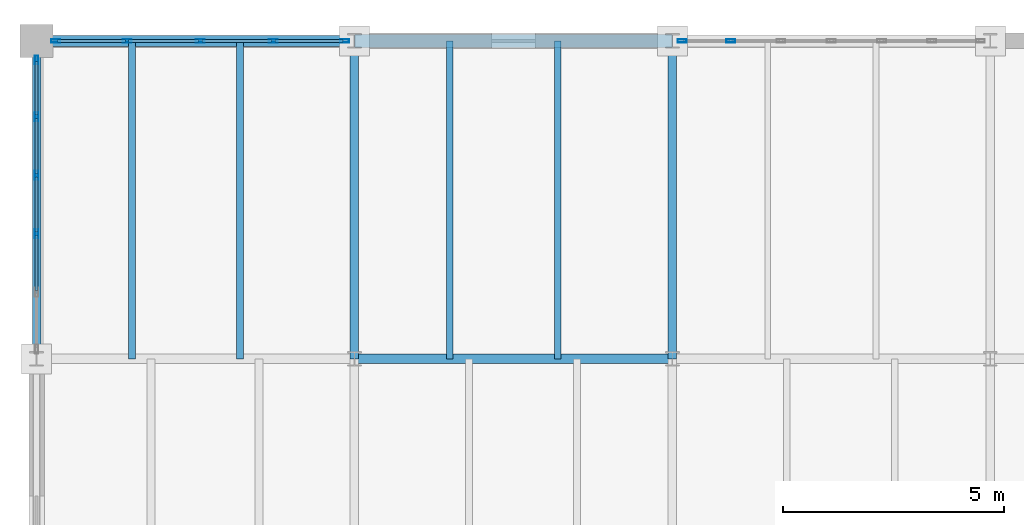
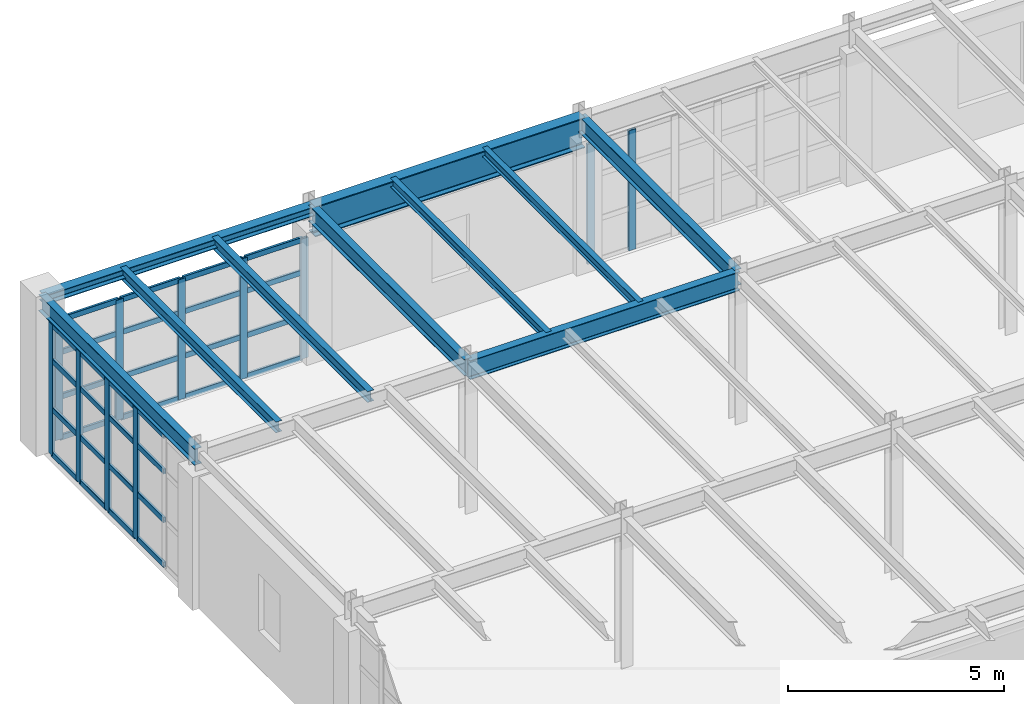
# One storey, part 58 of 137: 43 members, 10 beams, 3 elements without a shape of their own.
"""IFC4 building model written with IfcOpenShell, lengths in metres."""

from ifc_helpers import new_model, si_unit, direction, frame, origin, origin_2d, place, context, subcontext, project, spatial, hollow_rectangle, i_section, extrude, material, layer, layer_set, material_profile, profile_set, type_object, element, aggregate, save


model = new_model("IFC4")

# Units and contexts
model_context = context("Model", 3, precision=1e-05, world=origin(), true_north=direction((0.0, 1.0)))
body_context = subcontext(model_context, "Body", "Model", "MODEL_VIEW")
ifc_project = project(units=[si_unit("LENGTHUNIT", "METRE"), si_unit("AREAUNIT", "SQUARE_METRE"), si_unit("VOLUMEUNIT", "CUBIC_METRE"), si_unit("PLANEANGLEUNIT", "RADIAN"), si_unit("MASSUNIT", "GRAM", prefix="KILO")], contexts=[model_context])

# Site, building, storey
site_placement = place(None, origin())
site = spatial("IfcSite", under=ifc_project, at=site_placement, CompositionType="ELEMENT")
building_placement = place(site_placement, origin())
building = spatial("IfcBuilding", under=site, at=building_placement, Name="Kemerveld Promenade Tramway Depot", CompositionType="ELEMENT")
storey_placement = place(building_placement, frame((0.0, 0.0, 5.39990234375)))
storey = spatial("IfcBuildingStorey", under=building, at=storey_placement, Name="L01", CompositionType="ELEMENT", Elevation=5.39990234375)

# Beams
ifc_material_1 = material(Name="Steel S355", Category="steel")
ifc_material_profile_1 = material_profile(ifc_material_1, i_section(OverallWidth=0.293701171875, OverallDepth=0.850830078125, WebThickness=0.01611328125, FlangeThickness=0.02685546875, FilletRadius=0.017822265625, at=origin_2d()), Name="838x292x226 UB")
ifc_profile_set_1 = profile_set([ifc_material_profile_1], Name="Steel S355")
beam_type_1 = type_object("IfcBeamType", Name="BM-G01", PredefinedType="BEAM", material=ifc_profile_set_1)
beam_1_placement = place(storey_placement, frame((7.199951171875, 79.199951171875, 3.834716796875), z_axis=(1.0, 0.0, 0.0), x_axis=(0.0, 1.0, 0.0)))
element("IfcBeam", 1, at=beam_1_placement, inside=storey, type_object=beam_type_1, Name="BMX-L01-02-03-M", PredefinedType="BEAM", context=body_context, shape_type="SweptSolid", body=[
    extrude(i_section(OverallWidth=0.293701171875, OverallDepth=0.850830078125, WebThickness=0.01611328125, FlangeThickness=0.02685546875, FilletRadius=0.017822265625, at=origin_2d()), origin(), (0.0, 0.0, 1.0), 7.199951171875),
])
ifc_material_profile_2 = material_profile(ifc_material_1, i_section(OverallWidth=0.2099609375, OverallDepth=0.53662109375, WebThickness=0.0107421875, FlangeThickness=0.017333984375, FilletRadius=0.0126953125, at=origin_2d()), Name="533x210x101 UB")
ifc_profile_set_2 = profile_set([ifc_material_profile_2], Name="Steel S355")
beam_type_2 = type_object("IfcBeamType", Name="BM-G05", PredefinedType="BEAM", material=ifc_profile_set_2)
beam_2_placement = place(storey_placement, frame((7.199951171875, 72.0, 3.99169921875), z_axis=(1.0, 0.0, 0.0), x_axis=(0.0, 1.0, 0.0)))
element("IfcBeam", 2, at=beam_2_placement, inside=storey, type_object=beam_type_2, Name="BMX-L01-02-03-L", PredefinedType="BEAM", context=body_context, shape_type="SweptSolid", body=[
    extrude(i_section(OverallWidth=0.2099609375, OverallDepth=0.53662109375, WebThickness=0.0107421875, FlangeThickness=0.017333984375, FilletRadius=0.0126953125, at=origin_2d()), origin(), (0.0, 0.0, 1.0), 7.199951171875),
])
ifc_material_profile_3 = material_profile(ifc_material_1, i_section(OverallWidth=0.19140625, OverallDepth=0.4599609375, WebThickness=0.010009765625, FlangeThickness=0.01611328125, FilletRadius=0.01025390625, at=origin_2d()), Name="457x191x82 UB")
ifc_profile_set_3 = profile_set([ifc_material_profile_3], Name="Steel S355")
beam_type_3 = type_object("IfcBeamType", Name="BM-G06", PredefinedType="BEAM", material=ifc_profile_set_3)
for number, where, z_axis, x_axis, name in (
    (3, (0.0, 72.0, 4.030029296875), (0.0, 1.0, 0.0), (-1.0, 0.0, 0.0), "BMY-L01-01-L-M"),
    (4, (7.199951171875, 72.0, 4.030029296875), (0.0, 1.0, 0.0), (-1.0, 0.0, 0.0), "BMY-L01-02-L-M"),
    (5, (14.39990234375, 72.0, 4.030029296875), (0.0, 1.0, 0.0), (-1.0, 0.0, 0.0), "BMY-L01-03-L-M"),
):
    element("IfcBeam", number, at=place(storey_placement, frame(where, z_axis=z_axis, x_axis=x_axis)), inside=storey, type_object=beam_type_3, Name=name, PredefinedType="BEAM", context=body_context, shape_type="SweptSolid", body=[
        extrude(i_section(OverallWidth=0.19140625, OverallDepth=0.4599609375, WebThickness=0.010009765625, FlangeThickness=0.01611328125, FilletRadius=0.01025390625, at=origin_2d()), origin(), (0.0, 0.0, 1.0), 7.199951171875),
    ])
ifc_material_profile_4 = material_profile(ifc_material_1, i_section(OverallWidth=0.165771484375, OverallDepth=0.306640625, WebThickness=0.006591796875, FlangeThickness=0.01171875, FilletRadius=0.0087890625, at=origin_2d()), Name="305x165x46 UB")
ifc_profile_set_4 = profile_set([ifc_material_profile_4], Name="Steel S355")
beam_type_4 = type_object("IfcBeamType", Name="BM-J01", PredefinedType="JOIST", material=ifc_profile_set_4)
for number, where, z_axis, x_axis, name in (
    (6, (2.159912109375, 72.0, 4.106689453125), (0.0, 1.0, 0.0), (-1.0, 0.0, 0.0), "JST-L01-01-L-1"),
    (7, (4.60791015625, 72.0, 4.106689453125), (0.0, 1.0, 0.0), (-1.0, 0.0, 0.0), "JST-L01-01-L-2"),
):
    element("IfcBeam", number, at=place(storey_placement, frame(where, z_axis=z_axis, x_axis=x_axis)), inside=storey, type_object=beam_type_4, Name=name, PredefinedType="JOIST", context=body_context, shape_type="SweptSolid", body=[
        extrude(i_section(OverallWidth=0.165771484375, OverallDepth=0.306640625, WebThickness=0.006591796875, FlangeThickness=0.01171875, FilletRadius=0.0087890625, at=origin_2d()), origin(), (0.0, 0.0, 1.0), 7.199951171875),
    ])
ifc_material_profile_5 = material_profile(ifc_material_1, i_section(OverallWidth=0.146484375, OverallDepth=0.256103515625, WebThickness=0.00634765625, FlangeThickness=0.010986328125, FilletRadius=0.007568359375, at=origin_2d()), Name="254x146x37 UB")
ifc_profile_set_5 = profile_set([ifc_material_profile_5], Name="Steel S355")
beam_type_5 = type_object("IfcBeamType", Name="BM-J02", PredefinedType="JOIST", material=ifc_profile_set_5)
for number, where, z_axis, x_axis, name in (
    (8, (9.360107421875, 72.0, 4.132080078125), (0.0, 1.0, 0.0), (-1.0, 0.0, 0.0), "JST-L01-02-L-1"),
    (9, (11.80810546875, 72.0, 4.132080078125), (0.0, 1.0, 0.0), (-1.0, 0.0, 0.0), "JST-L01-02-L-2"),
):
    element("IfcBeam", number, at=place(storey_placement, frame(where, z_axis=z_axis, x_axis=x_axis)), inside=storey, type_object=beam_type_5, Name=name, PredefinedType="JOIST", context=body_context, shape_type="SweptSolid", body=[
        extrude(i_section(OverallWidth=0.146484375, OverallDepth=0.256103515625, WebThickness=0.00634765625, FlangeThickness=0.010986328125, FilletRadius=0.007568359375, at=origin_2d()), origin(), (0.0, 0.0, 1.0), 7.199951171875),
    ])
ifc_material_profile_6 = material_profile(ifc_material_1, i_section(OverallWidth=0.25634765625, OverallDepth=0.26025390625, WebThickness=0.01025390625, FlangeThickness=0.017333984375, FilletRadius=0.0126953125, at=origin_2d()), Name="254x254x89 UC")
ifc_profile_set_6 = profile_set([ifc_material_profile_6], Name="Steel S355")
beam_type_6 = type_object("IfcBeamType", Name="BM-LN4", PredefinedType="LINTEL", material=ifc_profile_set_6)
beam_3_placement = place(storey_placement, frame((0.0, 79.199951171875, 4.1298828125), z_axis=(1.0, 0.0, 0.0), x_axis=(0.0, 1.0, 0.0)))
element("IfcBeam", 10, at=beam_3_placement, inside=storey, type_object=beam_type_6, Name="BMX-L01-01-02-M", PredefinedType="LINTEL", context=body_context, shape_type="SweptSolid", body=[
    extrude(i_section(OverallWidth=0.25634765625, OverallDepth=0.26025390625, WebThickness=0.01025390625, FlangeThickness=0.017333984375, FilletRadius=0.0126953125, at=origin_2d()), origin(), (0.0, 0.0, 1.0), 7.199951171875),
])

# Curtain wall, members
ifc_material_2 = material(Name="Bronze anodised aluminium and solar glass", Category="aluminium")
ifc_layer_1 = layer(ifc_material_2, 0.199951171875)
ifc_layer_set_1 = layer_set([ifc_layer_1], Name="CW-SYS-14")
curtain_wall_type_1 = type_object("IfcCurtainWallType", Name="CW-SYS-14", PredefinedType="USERDEFINED", material=ifc_layer_set_1)
curtain_wall_1_placement = place(storey_placement, origin())
curtain_wall_1 = element("IfcCurtainWall", 11, at=curtain_wall_1_placement, inside=storey, type_object=curtain_wall_type_1, Name="CW-L01-V5W-11", ObjectType="GLAZED_CURTAIN_WALL", PredefinedType="USERDEFINED")
ifc_material_3 = material(Name="Bronze anodised aluminium", Category="aluminium")
ifc_material_profile_7 = material_profile(ifc_material_3, hollow_rectangle(XDim=0.074951171875, YDim=0.199951171875, WallThickness=0.0048828125, InnerFilletRadius=0.001953125, OuterFilletRadius=0.0048828125, at=origin_2d()), Name="CW-MUL-200x75")
ifc_profile_set_7 = profile_set([ifc_material_profile_7], Name="Bronze anodised aluminium")
member_type_1 = type_object("IfcMemberType", Name="CW-MUL-B", PredefinedType="MULLION", material=ifc_profile_set_7)
member_1_placement = place(storey_placement, frame((0.0, 74.83203125, 0.0), z_axis=(0.0, 0.0, 1.0), x_axis=(-1.0, 0.0, 0.0)))
member_1 = element("IfcMember", 12, at=member_1_placement, type_object=member_type_1, Name="CW14 mullion 3", PredefinedType="MULLION", context=body_context, shape_type="SweptSolid", body=[
    extrude(hollow_rectangle(XDim=0.074951171875, YDim=0.199951171875, WallThickness=0.0048828125, InnerFilletRadius=0.001953125, OuterFilletRadius=0.0048828125, at=origin_2d()), origin(), (0.0, 0.0, 1.0), 3.70361328125),
])
member_2_placement = place(storey_placement, frame((0.0, 76.156494140625, 0.0), z_axis=(0.0, 0.0, 1.0), x_axis=(-1.0, 0.0, 0.0)))
member_2 = element("IfcMember", 13, at=member_2_placement, type_object=member_type_1, Name="CW14 mullion 4", PredefinedType="MULLION", context=body_context, shape_type="SweptSolid", body=[
    extrude(hollow_rectangle(XDim=0.074951171875, YDim=0.199951171875, WallThickness=0.0048828125, InnerFilletRadius=0.001953125, OuterFilletRadius=0.0048828125, at=origin_2d()), origin(), (0.0, 0.0, 1.0), 3.70361328125),
])
member_3_placement = place(storey_placement, frame((0.0, 77.480712890625, 0.0), z_axis=(0.0, 0.0, 1.0), x_axis=(-1.0, 0.0, 0.0)))
member_3 = element("IfcMember", 14, at=member_3_placement, type_object=member_type_1, Name="CW14 mullion 5", PredefinedType="MULLION", context=body_context, shape_type="SweptSolid", body=[
    extrude(hollow_rectangle(XDim=0.074951171875, YDim=0.199951171875, WallThickness=0.0048828125, InnerFilletRadius=0.001953125, OuterFilletRadius=0.0048828125, at=origin_2d()), origin(), (0.0, 0.0, 1.0), 3.70361328125),
])
member_4_placement = place(storey_placement, frame((0.0, 78.767578125, 0.0), z_axis=(0.0, 0.0, 1.0), x_axis=(-1.0, 0.0, 0.0)))
member_4 = element("IfcMember", 15, at=member_4_placement, type_object=member_type_1, Name="CW14 mullion 6", PredefinedType="MULLION", context=body_context, shape_type="SweptSolid", body=[
    extrude(hollow_rectangle(XDim=0.074951171875, YDim=0.199951171875, WallThickness=0.0048828125, InnerFilletRadius=0.001953125, OuterFilletRadius=0.0048828125, at=origin_2d()), origin(), (0.0, 0.0, 1.0), 3.70361328125),
])

ifc_layer_2 = layer(ifc_material_2, 0.199951171875)
ifc_layer_set_2 = layer_set([ifc_layer_2], Name="CW-SYS-04")
curtain_wall_type_2 = type_object("IfcCurtainWallType", Name="CW-SYS-04", PredefinedType="USERDEFINED", material=ifc_layer_set_2)
curtain_wall_2_placement = place(storey_placement, origin())
curtain_wall_2 = element("IfcCurtainWall", 16, at=curtain_wall_2_placement, inside=storey, type_object=curtain_wall_type_2, Name="CW-L01-V5N-01", ObjectType="GLAZED_CURTAIN_WALL", PredefinedType="USERDEFINED")
member_5_placement = place(storey_placement, frame((0.4326171875, 79.199951171875, 0.0), z_axis=(0.0, 0.0, 1.0), x_axis=(0.0, 1.0, 0.0)))
member_5 = element("IfcMember", 17, at=member_5_placement, type_object=member_type_1, Name="CW04 mullion 1", PredefinedType="MULLION", context=body_context, shape_type="SweptSolid", body=[
    extrude(hollow_rectangle(XDim=0.074951171875, YDim=0.199951171875, WallThickness=0.0048828125, InnerFilletRadius=0.001953125, OuterFilletRadius=0.0048828125, at=origin_2d()), origin(), (0.0, 0.0, 1.0), 3.389404296875),
])
member_6_placement = place(storey_placement, frame((2.05029296875, 79.199951171875, 0.0), z_axis=(0.0, 0.0, 1.0), x_axis=(0.0, 1.0, 0.0)))
member_6 = element("IfcMember", 18, at=member_6_placement, type_object=member_type_1, Name="CW04 mullion 2", PredefinedType="MULLION", context=body_context, shape_type="SweptSolid", body=[
    extrude(hollow_rectangle(XDim=0.074951171875, YDim=0.199951171875, WallThickness=0.0048828125, InnerFilletRadius=0.001953125, OuterFilletRadius=0.0048828125, at=origin_2d()), origin(), (0.0, 0.0, 1.0), 3.389404296875),
])
member_7_placement = place(storey_placement, frame((3.705810546875, 79.199951171875, 0.0), z_axis=(0.0, 0.0, 1.0), x_axis=(0.0, 1.0, 0.0)))
member_7 = element("IfcMember", 19, at=member_7_placement, type_object=member_type_1, Name="CW04 mullion 3", PredefinedType="MULLION", context=body_context, shape_type="SweptSolid", body=[
    extrude(hollow_rectangle(XDim=0.074951171875, YDim=0.199951171875, WallThickness=0.0048828125, InnerFilletRadius=0.001953125, OuterFilletRadius=0.0048828125, at=origin_2d()), origin(), (0.0, 0.0, 1.0), 3.389404296875),
])
member_8_placement = place(storey_placement, frame((5.361083984375, 79.199951171875, 0.0), z_axis=(0.0, 0.0, 1.0), x_axis=(0.0, 1.0, 0.0)))
member_8 = element("IfcMember", 20, at=member_8_placement, type_object=member_type_1, Name="CW04 mullion 4", PredefinedType="MULLION", context=body_context, shape_type="SweptSolid", body=[
    extrude(hollow_rectangle(XDim=0.074951171875, YDim=0.199951171875, WallThickness=0.0048828125, InnerFilletRadius=0.001953125, OuterFilletRadius=0.0048828125, at=origin_2d()), origin(), (0.0, 0.0, 1.0), 3.389404296875),
])
member_9_placement = place(storey_placement, frame((6.97900390625, 79.199951171875, 0.0), z_axis=(0.0, 0.0, 1.0), x_axis=(0.0, 1.0, 0.0)))
member_9 = element("IfcMember", 21, at=member_9_placement, type_object=member_type_1, Name="CW04 mullion 5", PredefinedType="MULLION", context=body_context, shape_type="SweptSolid", body=[
    extrude(hollow_rectangle(XDim=0.074951171875, YDim=0.199951171875, WallThickness=0.0048828125, InnerFilletRadius=0.001953125, OuterFilletRadius=0.0048828125, at=origin_2d()), origin(), (0.0, 0.0, 1.0), 3.389404296875),
])

ifc_layer_3 = layer(ifc_material_2, 0.199951171875)
ifc_layer_set_3 = layer_set([ifc_layer_3], Name="CW-SYS-06")
curtain_wall_type_3 = type_object("IfcCurtainWallType", Name="CW-SYS-06", PredefinedType="USERDEFINED", material=ifc_layer_set_3)
curtain_wall_3_placement = place(storey_placement, origin())
curtain_wall_3 = element("IfcCurtainWall", 22, at=curtain_wall_3_placement, inside=storey, type_object=curtain_wall_type_3, Name="CW-L01-V5N-03", ObjectType="GLAZED_CURTAIN_WALL", PredefinedType="USERDEFINED")
member_10_placement = place(storey_placement, frame((14.62109375, 79.199951171875, 0.0), z_axis=(0.0, 0.0, 1.0), x_axis=(0.0, 1.0, 0.0)))
member_10 = element("IfcMember", 23, at=member_10_placement, type_object=member_type_1, Name="CW06 mullion 1", PredefinedType="MULLION", context=body_context, shape_type="SweptSolid", body=[
    extrude(hollow_rectangle(XDim=0.074951171875, YDim=0.199951171875, WallThickness=0.0048828125, InnerFilletRadius=0.001953125, OuterFilletRadius=0.0048828125, at=origin_2d()), origin(), (0.0, 0.0, 1.0), 3.389404296875),
])
member_11_placement = place(storey_placement, frame((15.722412109375, 79.199951171875, 0.0), z_axis=(0.0, 0.0, 1.0), x_axis=(0.0, 1.0, 0.0)))
member_11 = element("IfcMember", 24, at=member_11_placement, type_object=member_type_1, Name="CW06 mullion 2", PredefinedType="MULLION", context=body_context, shape_type="SweptSolid", body=[
    extrude(hollow_rectangle(XDim=0.074951171875, YDim=0.199951171875, WallThickness=0.0048828125, InnerFilletRadius=0.001953125, OuterFilletRadius=0.0048828125, at=origin_2d()), origin(), (0.0, 0.0, 1.0), 3.389404296875),
])
aggregate(curtain_wall_3, [member_10, member_11])

# Member
ifc_material_profile_8 = material_profile(ifc_material_3, hollow_rectangle(XDim=0.06494140625, YDim=0.14990234375, WallThickness=0.00439453125, InnerFilletRadius=0.001953125, OuterFilletRadius=0.00439453125, at=origin_2d()), Name="CW-TRN-150x65")
ifc_profile_set_8 = profile_set([ifc_material_profile_8], Name="Bronze anodised aluminium")
member_type_2 = type_object("IfcMemberType", Name="CW-TRN-B", PredefinedType="USERDEFINED", material=ifc_profile_set_8)
member_12_placement = place(storey_placement, frame((0.0, 73.54541015625, 0.03271484375), z_axis=(0.0, 1.0, 0.0), x_axis=(-1.0, 0.0, 0.0)))
member_12 = element("IfcMember", 25, at=member_12_placement, type_object=member_type_2, Name="CW14 transom 2.1", ObjectType="TRANSOM", PredefinedType="USERDEFINED", context=body_context, shape_type="SweptSolid", body=[
    extrude(hollow_rectangle(XDim=0.06494140625, YDim=0.14990234375, WallThickness=0.00439453125, InnerFilletRadius=0.001953125, OuterFilletRadius=0.00439453125, at=origin_2d()), origin(), (0.0, 0.0, 1.0), 1.249267578125),
])

member_13_placement = place(storey_placement, frame((0.0, 73.54541015625, 1.296142578125), z_axis=(0.0, 1.0, 0.0), x_axis=(-1.0, 0.0, 0.0)))
member_13 = element("IfcMember", 26, at=member_13_placement, type_object=member_type_2, Name="CW14 transom 2.2", ObjectType="TRANSOM", PredefinedType="USERDEFINED", context=body_context, shape_type="SweptSolid", body=[
    extrude(hollow_rectangle(XDim=0.06494140625, YDim=0.14990234375, WallThickness=0.00439453125, InnerFilletRadius=0.001953125, OuterFilletRadius=0.00439453125, at=origin_2d()), origin(), (0.0, 0.0, 1.0), 1.249267578125),
])

member_14_placement = place(storey_placement, frame((0.0, 73.54541015625, 2.666015625), z_axis=(0.0, 1.0, 0.0), x_axis=(-1.0, 0.0, 0.0)))
member_14 = element("IfcMember", 27, at=member_14_placement, type_object=member_type_2, Name="CW14 transom 2.3", ObjectType="TRANSOM", PredefinedType="USERDEFINED", context=body_context, shape_type="SweptSolid", body=[
    extrude(hollow_rectangle(XDim=0.06494140625, YDim=0.14990234375, WallThickness=0.00439453125, InnerFilletRadius=0.001953125, OuterFilletRadius=0.00439453125, at=origin_2d()), origin(), (0.0, 0.0, 1.0), 1.249267578125),
])

member_15_placement = place(storey_placement, frame((0.0, 73.54541015625, 3.6708984375), z_axis=(0.0, 1.0, 0.0), x_axis=(-1.0, 0.0, 0.0)))
member_15 = element("IfcMember", 28, at=member_15_placement, type_object=member_type_2, Name="CW14 transom 2.4", ObjectType="TRANSOM", PredefinedType="USERDEFINED", context=body_context, shape_type="SweptSolid", body=[
    extrude(hollow_rectangle(XDim=0.06494140625, YDim=0.14990234375, WallThickness=0.00439453125, InnerFilletRadius=0.001953125, OuterFilletRadius=0.00439453125, at=origin_2d()), origin(), (0.0, 0.0, 1.0), 1.249267578125),
])

member_16_placement = place(storey_placement, frame((0.0, 74.86962890625, 0.03271484375), z_axis=(0.0, 1.0, 0.0), x_axis=(-1.0, 0.0, 0.0)))
member_16 = element("IfcMember", 29, at=member_16_placement, type_object=member_type_2, Name="CW14 transom 3.1", ObjectType="TRANSOM", PredefinedType="USERDEFINED", context=body_context, shape_type="SweptSolid", body=[
    extrude(hollow_rectangle(XDim=0.06494140625, YDim=0.14990234375, WallThickness=0.00439453125, InnerFilletRadius=0.001953125, OuterFilletRadius=0.00439453125, at=origin_2d()), origin(), (0.0, 0.0, 1.0), 1.249267578125),
])

member_17_placement = place(storey_placement, frame((0.0, 74.86962890625, 1.296142578125), z_axis=(0.0, 1.0, 0.0), x_axis=(-1.0, 0.0, 0.0)))
member_17 = element("IfcMember", 30, at=member_17_placement, type_object=member_type_2, Name="CW14 transom 3.2", ObjectType="TRANSOM", PredefinedType="USERDEFINED", context=body_context, shape_type="SweptSolid", body=[
    extrude(hollow_rectangle(XDim=0.06494140625, YDim=0.14990234375, WallThickness=0.00439453125, InnerFilletRadius=0.001953125, OuterFilletRadius=0.00439453125, at=origin_2d()), origin(), (0.0, 0.0, 1.0), 1.249267578125),
])

member_18_placement = place(storey_placement, frame((0.0, 74.86962890625, 2.666015625), z_axis=(0.0, 1.0, 0.0), x_axis=(-1.0, 0.0, 0.0)))
member_18 = element("IfcMember", 31, at=member_18_placement, type_object=member_type_2, Name="CW14 transom 3.3", ObjectType="TRANSOM", PredefinedType="USERDEFINED", context=body_context, shape_type="SweptSolid", body=[
    extrude(hollow_rectangle(XDim=0.06494140625, YDim=0.14990234375, WallThickness=0.00439453125, InnerFilletRadius=0.001953125, OuterFilletRadius=0.00439453125, at=origin_2d()), origin(), (0.0, 0.0, 1.0), 1.249267578125),
])

member_19_placement = place(storey_placement, frame((0.0, 74.86962890625, 3.6708984375), z_axis=(0.0, 1.0, 0.0), x_axis=(-1.0, 0.0, 0.0)))
member_19 = element("IfcMember", 32, at=member_19_placement, type_object=member_type_2, Name="CW14 transom 3.4", ObjectType="TRANSOM", PredefinedType="USERDEFINED", context=body_context, shape_type="SweptSolid", body=[
    extrude(hollow_rectangle(XDim=0.06494140625, YDim=0.14990234375, WallThickness=0.00439453125, InnerFilletRadius=0.001953125, OuterFilletRadius=0.00439453125, at=origin_2d()), origin(), (0.0, 0.0, 1.0), 1.249267578125),
])

member_20_placement = place(storey_placement, frame((0.0, 76.19384765625, 0.03271484375), z_axis=(0.0, 1.0, 0.0), x_axis=(-1.0, 0.0, 0.0)))
member_20 = element("IfcMember", 33, at=member_20_placement, type_object=member_type_2, Name="CW14 transom 4.1", ObjectType="TRANSOM", PredefinedType="USERDEFINED", context=body_context, shape_type="SweptSolid", body=[
    extrude(hollow_rectangle(XDim=0.06494140625, YDim=0.14990234375, WallThickness=0.00439453125, InnerFilletRadius=0.001953125, OuterFilletRadius=0.00439453125, at=origin_2d()), origin(), (0.0, 0.0, 1.0), 1.249267578125),
])

member_21_placement = place(storey_placement, frame((0.0, 76.19384765625, 1.296142578125), z_axis=(0.0, 1.0, 0.0), x_axis=(-1.0, 0.0, 0.0)))
member_21 = element("IfcMember", 34, at=member_21_placement, type_object=member_type_2, Name="CW14 transom 4.2", ObjectType="TRANSOM", PredefinedType="USERDEFINED", context=body_context, shape_type="SweptSolid", body=[
    extrude(hollow_rectangle(XDim=0.06494140625, YDim=0.14990234375, WallThickness=0.00439453125, InnerFilletRadius=0.001953125, OuterFilletRadius=0.00439453125, at=origin_2d()), origin(), (0.0, 0.0, 1.0), 1.249267578125),
])

member_22_placement = place(storey_placement, frame((0.0, 76.19384765625, 2.666015625), z_axis=(0.0, 1.0, 0.0), x_axis=(-1.0, 0.0, 0.0)))
member_22 = element("IfcMember", 35, at=member_22_placement, type_object=member_type_2, Name="CW14 transom 4.3", ObjectType="TRANSOM", PredefinedType="USERDEFINED", context=body_context, shape_type="SweptSolid", body=[
    extrude(hollow_rectangle(XDim=0.06494140625, YDim=0.14990234375, WallThickness=0.00439453125, InnerFilletRadius=0.001953125, OuterFilletRadius=0.00439453125, at=origin_2d()), origin(), (0.0, 0.0, 1.0), 1.249267578125),
])

member_23_placement = place(storey_placement, frame((0.0, 76.19384765625, 3.6708984375), z_axis=(0.0, 1.0, 0.0), x_axis=(-1.0, 0.0, 0.0)))
member_23 = element("IfcMember", 36, at=member_23_placement, type_object=member_type_2, Name="CW14 transom 4.4", ObjectType="TRANSOM", PredefinedType="USERDEFINED", context=body_context, shape_type="SweptSolid", body=[
    extrude(hollow_rectangle(XDim=0.06494140625, YDim=0.14990234375, WallThickness=0.00439453125, InnerFilletRadius=0.001953125, OuterFilletRadius=0.00439453125, at=origin_2d()), origin(), (0.0, 0.0, 1.0), 1.249267578125),
])

member_24_placement = place(storey_placement, frame((0.0, 77.518310546875, 0.03271484375), z_axis=(0.0, 1.0, 0.0), x_axis=(-1.0, 0.0, 0.0)))
member_24 = element("IfcMember", 37, at=member_24_placement, type_object=member_type_2, Name="CW14 transom 5.1", ObjectType="TRANSOM", PredefinedType="USERDEFINED", context=body_context, shape_type="SweptSolid", body=[
    extrude(hollow_rectangle(XDim=0.06494140625, YDim=0.14990234375, WallThickness=0.00439453125, InnerFilletRadius=0.001953125, OuterFilletRadius=0.00439453125, at=origin_2d()), origin(), (0.0, 0.0, 1.0), 1.211669921875),
])

member_25_placement = place(storey_placement, frame((0.0, 77.518310546875, 1.296142578125), z_axis=(0.0, 1.0, 0.0), x_axis=(-1.0, 0.0, 0.0)))
member_25 = element("IfcMember", 38, at=member_25_placement, type_object=member_type_2, Name="CW14 transom 5.2", ObjectType="TRANSOM", PredefinedType="USERDEFINED", context=body_context, shape_type="SweptSolid", body=[
    extrude(hollow_rectangle(XDim=0.06494140625, YDim=0.14990234375, WallThickness=0.00439453125, InnerFilletRadius=0.001953125, OuterFilletRadius=0.00439453125, at=origin_2d()), origin(), (0.0, 0.0, 1.0), 1.211669921875),
])

member_26_placement = place(storey_placement, frame((0.0, 77.518310546875, 2.666015625), z_axis=(0.0, 1.0, 0.0), x_axis=(-1.0, 0.0, 0.0)))
member_26 = element("IfcMember", 39, at=member_26_placement, type_object=member_type_2, Name="CW14 transom 5.3", ObjectType="TRANSOM", PredefinedType="USERDEFINED", context=body_context, shape_type="SweptSolid", body=[
    extrude(hollow_rectangle(XDim=0.06494140625, YDim=0.14990234375, WallThickness=0.00439453125, InnerFilletRadius=0.001953125, OuterFilletRadius=0.00439453125, at=origin_2d()), origin(), (0.0, 0.0, 1.0), 1.211669921875),
])

member_27_placement = place(storey_placement, frame((0.0, 77.518310546875, 3.6708984375), z_axis=(0.0, 1.0, 0.0), x_axis=(-1.0, 0.0, 0.0)))
member_27 = element("IfcMember", 40, at=member_27_placement, type_object=member_type_2, Name="CW14 transom 5.4", ObjectType="TRANSOM", PredefinedType="USERDEFINED", context=body_context, shape_type="SweptSolid", body=[
    extrude(hollow_rectangle(XDim=0.06494140625, YDim=0.14990234375, WallThickness=0.00439453125, InnerFilletRadius=0.001953125, OuterFilletRadius=0.00439453125, at=origin_2d()), origin(), (0.0, 0.0, 1.0), 1.211669921875),
])

aggregate(curtain_wall_1, [member_1, member_2, member_3, member_4, member_12, member_13, member_14, member_15, member_16, member_17, member_18, member_19, member_20, member_21, member_22, member_23, member_24, member_25, member_26, member_27])

member_28_placement = place(storey_placement, frame((0.469970703125, 79.199951171875, 0.03271484375), z_axis=(1.0, 0.0, 0.0), x_axis=(0.0, 1.0, 0.0)))
member_28 = element("IfcMember", 41, at=member_28_placement, type_object=member_type_2, Name="CW04 transom 1.1", ObjectType="TRANSOM", PredefinedType="USERDEFINED", context=body_context, shape_type="SweptSolid", body=[
    extrude(hollow_rectangle(XDim=0.06494140625, YDim=0.14990234375, WallThickness=0.00439453125, InnerFilletRadius=0.001953125, OuterFilletRadius=0.00439453125, at=origin_2d()), origin(), (0.0, 0.0, 1.0), 1.54296875),
])

member_29_placement = place(storey_placement, frame((0.469970703125, 79.199951171875, 1.18603515625), z_axis=(1.0, 0.0, 0.0), x_axis=(0.0, 1.0, 0.0)))
member_29 = element("IfcMember", 42, at=member_29_placement, type_object=member_type_2, Name="CW04 transom 1.2", ObjectType="TRANSOM", PredefinedType="USERDEFINED", context=body_context, shape_type="SweptSolid", body=[
    extrude(hollow_rectangle(XDim=0.06494140625, YDim=0.14990234375, WallThickness=0.00439453125, InnerFilletRadius=0.001953125, OuterFilletRadius=0.00439453125, at=origin_2d()), origin(), (0.0, 0.0, 1.0), 1.54296875),
])

member_30_placement = place(storey_placement, frame((0.469970703125, 79.199951171875, 2.440185546875), z_axis=(1.0, 0.0, 0.0), x_axis=(0.0, 1.0, 0.0)))
member_30 = element("IfcMember", 43, at=member_30_placement, type_object=member_type_2, Name="CW04 transom 1.3", ObjectType="TRANSOM", PredefinedType="USERDEFINED", context=body_context, shape_type="SweptSolid", body=[
    extrude(hollow_rectangle(XDim=0.06494140625, YDim=0.14990234375, WallThickness=0.00439453125, InnerFilletRadius=0.001953125, OuterFilletRadius=0.00439453125, at=origin_2d()), origin(), (0.0, 0.0, 1.0), 1.54296875),
])

member_31_placement = place(storey_placement, frame((0.469970703125, 79.199951171875, 3.356689453125), z_axis=(1.0, 0.0, 0.0), x_axis=(0.0, 1.0, 0.0)))
member_31 = element("IfcMember", 44, at=member_31_placement, type_object=member_type_2, Name="CW04 transom 1.4", ObjectType="TRANSOM", PredefinedType="USERDEFINED", context=body_context, shape_type="SweptSolid", body=[
    extrude(hollow_rectangle(XDim=0.06494140625, YDim=0.14990234375, WallThickness=0.00439453125, InnerFilletRadius=0.001953125, OuterFilletRadius=0.00439453125, at=origin_2d()), origin(), (0.0, 0.0, 1.0), 1.54296875),
])

member_32_placement = place(storey_placement, frame((2.087890625, 79.199951171875, 0.03271484375), z_axis=(1.0, 0.0, 0.0), x_axis=(0.0, 1.0, 0.0)))
member_32 = element("IfcMember", 45, at=member_32_placement, type_object=member_type_2, Name="CW04 transom 2.1", ObjectType="TRANSOM", PredefinedType="USERDEFINED", context=body_context, shape_type="SweptSolid", body=[
    extrude(hollow_rectangle(XDim=0.06494140625, YDim=0.14990234375, WallThickness=0.00439453125, InnerFilletRadius=0.001953125, OuterFilletRadius=0.00439453125, at=origin_2d()), origin(), (0.0, 0.0, 1.0), 1.580322265625),
])

member_33_placement = place(storey_placement, frame((2.087890625, 79.199951171875, 1.18603515625), z_axis=(1.0, 0.0, 0.0), x_axis=(0.0, 1.0, 0.0)))
member_33 = element("IfcMember", 46, at=member_33_placement, type_object=member_type_2, Name="CW04 transom 2.2", ObjectType="TRANSOM", PredefinedType="USERDEFINED", context=body_context, shape_type="SweptSolid", body=[
    extrude(hollow_rectangle(XDim=0.06494140625, YDim=0.14990234375, WallThickness=0.00439453125, InnerFilletRadius=0.001953125, OuterFilletRadius=0.00439453125, at=origin_2d()), origin(), (0.0, 0.0, 1.0), 1.580322265625),
])

member_34_placement = place(storey_placement, frame((2.087890625, 79.199951171875, 2.440185546875), z_axis=(1.0, 0.0, 0.0), x_axis=(0.0, 1.0, 0.0)))
member_34 = element("IfcMember", 47, at=member_34_placement, type_object=member_type_2, Name="CW04 transom 2.3", ObjectType="TRANSOM", PredefinedType="USERDEFINED", context=body_context, shape_type="SweptSolid", body=[
    extrude(hollow_rectangle(XDim=0.06494140625, YDim=0.14990234375, WallThickness=0.00439453125, InnerFilletRadius=0.001953125, OuterFilletRadius=0.00439453125, at=origin_2d()), origin(), (0.0, 0.0, 1.0), 1.580322265625),
])

member_35_placement = place(storey_placement, frame((2.087890625, 79.199951171875, 3.356689453125), z_axis=(1.0, 0.0, 0.0), x_axis=(0.0, 1.0, 0.0)))
member_35 = element("IfcMember", 48, at=member_35_placement, type_object=member_type_2, Name="CW04 transom 2.4", ObjectType="TRANSOM", PredefinedType="USERDEFINED", context=body_context, shape_type="SweptSolid", body=[
    extrude(hollow_rectangle(XDim=0.06494140625, YDim=0.14990234375, WallThickness=0.00439453125, InnerFilletRadius=0.001953125, OuterFilletRadius=0.00439453125, at=origin_2d()), origin(), (0.0, 0.0, 1.0), 1.580322265625),
])

member_36_placement = place(storey_placement, frame((3.7431640625, 79.199951171875, 0.03271484375), z_axis=(1.0, 0.0, 0.0), x_axis=(0.0, 1.0, 0.0)))
member_36 = element("IfcMember", 49, at=member_36_placement, type_object=member_type_2, Name="CW04 transom 3.1", ObjectType="TRANSOM", PredefinedType="USERDEFINED", context=body_context, shape_type="SweptSolid", body=[
    extrude(hollow_rectangle(XDim=0.06494140625, YDim=0.14990234375, WallThickness=0.00439453125, InnerFilletRadius=0.001953125, OuterFilletRadius=0.00439453125, at=origin_2d()), origin(), (0.0, 0.0, 1.0), 1.580322265625),
])

member_37_placement = place(storey_placement, frame((3.7431640625, 79.199951171875, 1.18603515625), z_axis=(1.0, 0.0, 0.0), x_axis=(0.0, 1.0, 0.0)))
member_37 = element("IfcMember", 50, at=member_37_placement, type_object=member_type_2, Name="CW04 transom 3.2", ObjectType="TRANSOM", PredefinedType="USERDEFINED", context=body_context, shape_type="SweptSolid", body=[
    extrude(hollow_rectangle(XDim=0.06494140625, YDim=0.14990234375, WallThickness=0.00439453125, InnerFilletRadius=0.001953125, OuterFilletRadius=0.00439453125, at=origin_2d()), origin(), (0.0, 0.0, 1.0), 1.580322265625),
])

member_38_placement = place(storey_placement, frame((3.7431640625, 79.199951171875, 2.440185546875), z_axis=(1.0, 0.0, 0.0), x_axis=(0.0, 1.0, 0.0)))
member_38 = element("IfcMember", 51, at=member_38_placement, type_object=member_type_2, Name="CW04 transom 3.3", ObjectType="TRANSOM", PredefinedType="USERDEFINED", context=body_context, shape_type="SweptSolid", body=[
    extrude(hollow_rectangle(XDim=0.06494140625, YDim=0.14990234375, WallThickness=0.00439453125, InnerFilletRadius=0.001953125, OuterFilletRadius=0.00439453125, at=origin_2d()), origin(), (0.0, 0.0, 1.0), 1.580322265625),
])

member_39_placement = place(storey_placement, frame((3.7431640625, 79.199951171875, 3.356689453125), z_axis=(1.0, 0.0, 0.0), x_axis=(0.0, 1.0, 0.0)))
member_39 = element("IfcMember", 52, at=member_39_placement, type_object=member_type_2, Name="CW04 transom 3.4", ObjectType="TRANSOM", PredefinedType="USERDEFINED", context=body_context, shape_type="SweptSolid", body=[
    extrude(hollow_rectangle(XDim=0.06494140625, YDim=0.14990234375, WallThickness=0.00439453125, InnerFilletRadius=0.001953125, OuterFilletRadius=0.00439453125, at=origin_2d()), origin(), (0.0, 0.0, 1.0), 1.580322265625),
])

member_40_placement = place(storey_placement, frame((5.3984375, 79.199951171875, 0.03271484375), z_axis=(1.0, 0.0, 0.0), x_axis=(0.0, 1.0, 0.0)))
member_40 = element("IfcMember", 53, at=member_40_placement, type_object=member_type_2, Name="CW04 transom 4.1", ObjectType="TRANSOM", PredefinedType="USERDEFINED", context=body_context, shape_type="SweptSolid", body=[
    extrude(hollow_rectangle(XDim=0.06494140625, YDim=0.14990234375, WallThickness=0.00439453125, InnerFilletRadius=0.001953125, OuterFilletRadius=0.00439453125, at=origin_2d()), origin(), (0.0, 0.0, 1.0), 1.54296875),
])

member_41_placement = place(storey_placement, frame((5.3984375, 79.199951171875, 1.18603515625), z_axis=(1.0, 0.0, 0.0), x_axis=(0.0, 1.0, 0.0)))
member_41 = element("IfcMember", 54, at=member_41_placement, type_object=member_type_2, Name="CW04 transom 4.2", ObjectType="TRANSOM", PredefinedType="USERDEFINED", context=body_context, shape_type="SweptSolid", body=[
    extrude(hollow_rectangle(XDim=0.06494140625, YDim=0.14990234375, WallThickness=0.00439453125, InnerFilletRadius=0.001953125, OuterFilletRadius=0.00439453125, at=origin_2d()), origin(), (0.0, 0.0, 1.0), 1.54296875),
])

member_42_placement = place(storey_placement, frame((5.3984375, 79.199951171875, 2.440185546875), z_axis=(1.0, 0.0, 0.0), x_axis=(0.0, 1.0, 0.0)))
member_42 = element("IfcMember", 55, at=member_42_placement, type_object=member_type_2, Name="CW04 transom 4.3", ObjectType="TRANSOM", PredefinedType="USERDEFINED", context=body_context, shape_type="SweptSolid", body=[
    extrude(hollow_rectangle(XDim=0.06494140625, YDim=0.14990234375, WallThickness=0.00439453125, InnerFilletRadius=0.001953125, OuterFilletRadius=0.00439453125, at=origin_2d()), origin(), (0.0, 0.0, 1.0), 1.54296875),
])

member_43_placement = place(storey_placement, frame((5.3984375, 79.199951171875, 3.356689453125), z_axis=(1.0, 0.0, 0.0), x_axis=(0.0, 1.0, 0.0)))
member_43 = element("IfcMember", 56, at=member_43_placement, type_object=member_type_2, Name="CW04 transom 4.4", ObjectType="TRANSOM", PredefinedType="USERDEFINED", context=body_context, shape_type="SweptSolid", body=[
    extrude(hollow_rectangle(XDim=0.06494140625, YDim=0.14990234375, WallThickness=0.00439453125, InnerFilletRadius=0.001953125, OuterFilletRadius=0.00439453125, at=origin_2d()), origin(), (0.0, 0.0, 1.0), 1.54296875),
])

aggregate(curtain_wall_2, [member_5, member_6, member_7, member_8, member_9, member_28, member_29, member_30, member_31, member_32, member_33, member_34, member_35, member_36, member_37, member_38, member_39, member_40, member_41, member_42, member_43])

save(model, "model.ifc")
